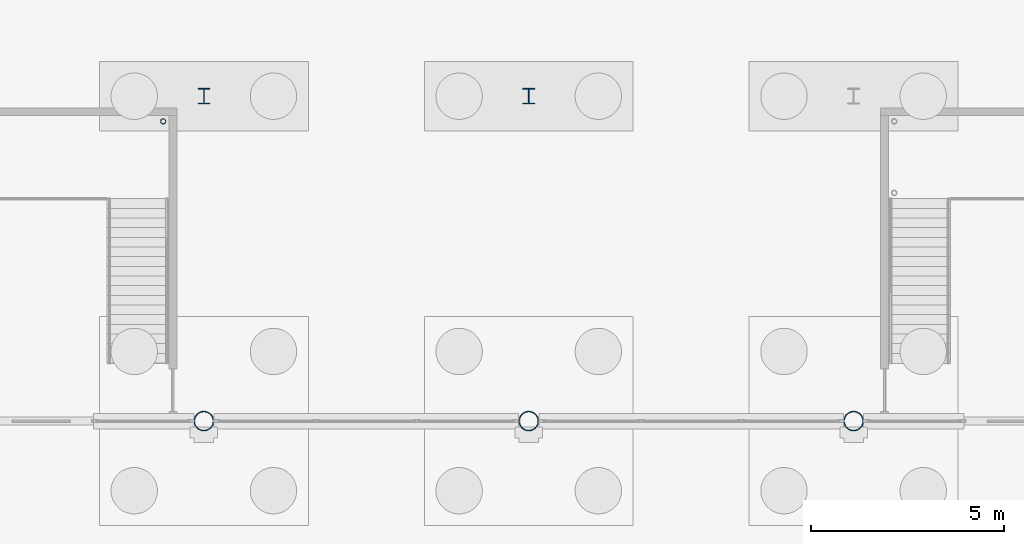
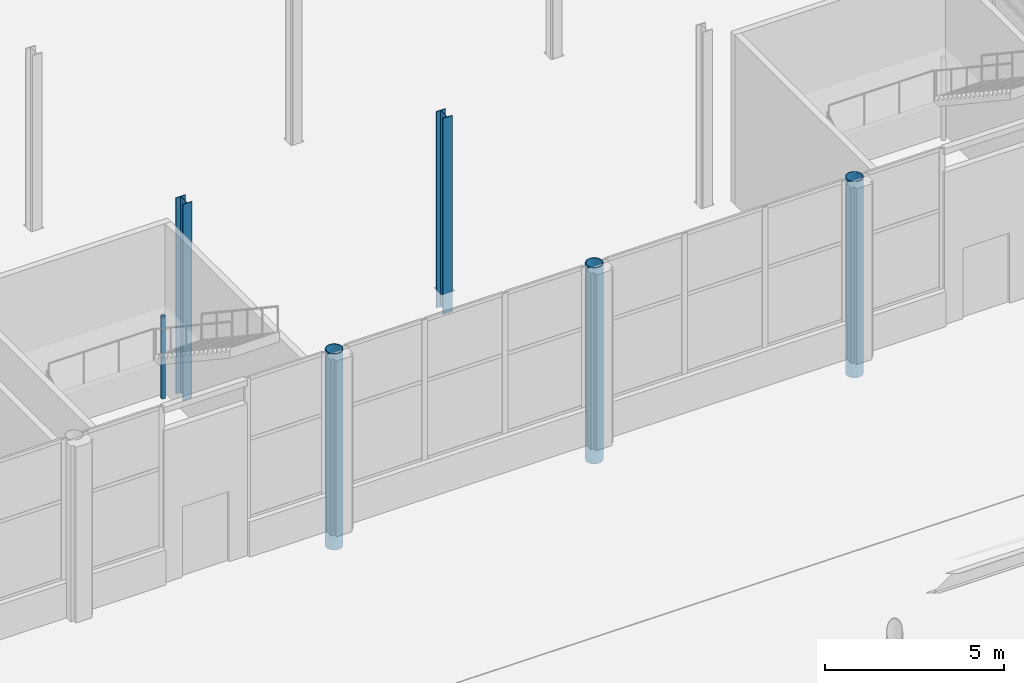
# One storey, part 16 of 212: 6 columns.
"""IFC4 building model written with IfcOpenShell, lengths in metres."""

from ifc_helpers import new_model, si_unit, direction, frame, origin, origin_2d, place, context, subcontext, project, spatial, hollow_circle, i_section, extrude, material, material_profile, profile_set, type_object, element, save


model = new_model("IFC4")

# Units and contexts
model_context = context("Model", 3, precision=1e-05, world=origin(), true_north=direction((0.0, 1.0)))
body_context = subcontext(model_context, "Body", "Model", "MODEL_VIEW")
ifc_project = project(units=[si_unit("LENGTHUNIT", "METRE"), si_unit("AREAUNIT", "SQUARE_METRE"), si_unit("VOLUMEUNIT", "CUBIC_METRE"), si_unit("PLANEANGLEUNIT", "RADIAN"), si_unit("MASSUNIT", "GRAM", prefix="KILO")], contexts=[model_context])

# Site, building, storey
site_placement = place(None, origin())
site = spatial("IfcSite", under=ifc_project, at=site_placement, CompositionType="ELEMENT")
building_placement = place(site_placement, origin())
building = spatial("IfcBuilding", under=site, at=building_placement, Name="Catenary Quay Ferry Terminal", CompositionType="ELEMENT")
storey_placement = place(building_placement, origin())
storey = spatial("IfcBuildingStorey", under=building, at=storey_placement, Name="L00", CompositionType="ELEMENT", Elevation=0.0)

# Columns
ifc_material_1 = material(Name="Steel S355", Category="steel")
ifc_material_profile_1 = material_profile(ifc_material_1, i_section(OverallWidth=0.300048828125, OverallDepth=0.39990234375, WebThickness=0.013427734375, FlangeThickness=0.02392578125, at=origin_2d()), Name="HEB 400")
ifc_profile_set_1 = profile_set([ifc_material_profile_1], Name="Steel S355")
column_type_1 = type_object("IfcColumnType", Name="C2 HEB 400", PredefinedType="COLUMN", material=ifc_profile_set_1)
for number, where, z_axis, x_axis, name in (
    (1, (67.199951171875, 75.60009765625, -0.699951171875), (0.0, 0.0, 1.0), (1.0, 0.0, 0.0), "Column C-I10 L00"),
    (2, (75.60009765625, 75.60009765625, -0.699951171875), (0.0, 0.0, 1.0), (1.0, 0.0, 0.0), "Column C-J10 L00"),
):
    element("IfcColumn", number, at=place(storey_placement, frame(where, z_axis=z_axis, x_axis=x_axis)), inside=storey, type_object=column_type_1, Name=name, PredefinedType="COLUMN", context=body_context, shape_type="SweptSolid", body=[
        extrude(i_section(OverallWidth=0.300048828125, OverallDepth=0.39990234375, WebThickness=0.013427734375, FlangeThickness=0.02392578125, at=origin_2d()), origin(), (0.0, 0.0, 1.0), 6.699951171875),
    ])
ifc_material_2 = material(Name="Steel S355", Category="steel")
ifc_material_profile_2 = material_profile(ifc_material_2, hollow_circle(Radius=0.25390625, WallThickness=0.01611328125, at=origin_2d()), Name="CHS 508x16")
ifc_profile_set_2 = profile_set([ifc_material_profile_2], Name="Steel S355")
column_type_2 = type_object("IfcColumnType", Name="C4 CHS 508x16", PredefinedType="COLUMN", material=ifc_profile_set_2)
for number, where, z_axis, x_axis, name in (
    (3, (67.199951171875, 67.199951171875, -0.699951171875), (0.0, 0.0, 1.0), (1.0, 0.0, 0.0), "Column C-I9 L00"),
    (4, (75.60009765625, 67.199951171875, -0.699951171875), (0.0, 0.0, 1.0), (1.0, 0.0, 0.0), "Column C-J9 L00"),
    (5, (84.0, 67.199951171875, -0.699951171875), (0.0, 0.0, 1.0), (1.0, 0.0, 0.0), "Column C-K9 L00"),
):
    element("IfcColumn", number, at=place(storey_placement, frame(where, z_axis=z_axis, x_axis=x_axis)), inside=storey, type_object=column_type_2, Name=name, PredefinedType="COLUMN", context=body_context, shape_type="SweptSolid", body=[
        extrude(hollow_circle(Radius=0.25390625, WallThickness=0.01611328125, at=origin_2d()), origin(), (0.0, 0.0, 1.0), 6.699951171875),
    ])
ifc_material_3 = material(Name="Steel S355", Category="steel")
ifc_material_profile_3 = material_profile(ifc_material_3, hollow_circle(Radius=0.06982421875, WallThickness=0.008056640625, at=origin_2d()), Name="CHS 139.7x8")
ifc_profile_set_3 = profile_set([ifc_material_profile_3], Name="Steel S355")
column_type_3 = type_object("IfcColumnType", Name="SP1 CHS 139.7x8", PredefinedType="COLUMN", material=ifc_profile_set_3)
column_placement = place(storey_placement, frame((66.14990234375, 74.949951171875, 0.0), z_axis=(0.0, 0.0, 1.0), x_axis=(1.0, 0.0, 0.0)))
element("IfcColumn", 6, at=column_placement, inside=storey, type_object=column_type_3, Name="Landing post TS6-L00 2", PredefinedType="COLUMN", context=body_context, shape_type="SweptSolid", body=[
    extrude(hollow_circle(Radius=0.06982421875, WallThickness=0.008056640625, at=origin_2d()), origin(), (0.0, 0.0, 1.0), 2.800048828125),
])

save(model, "model.ifc")
